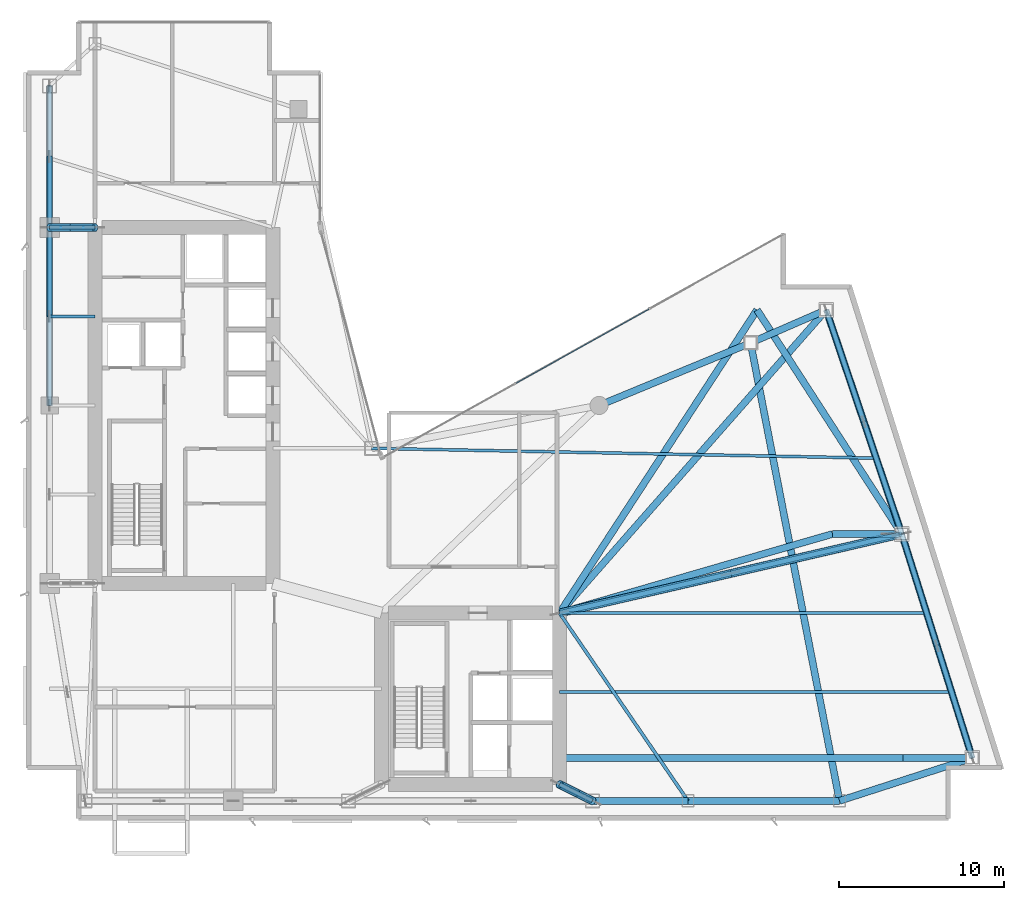
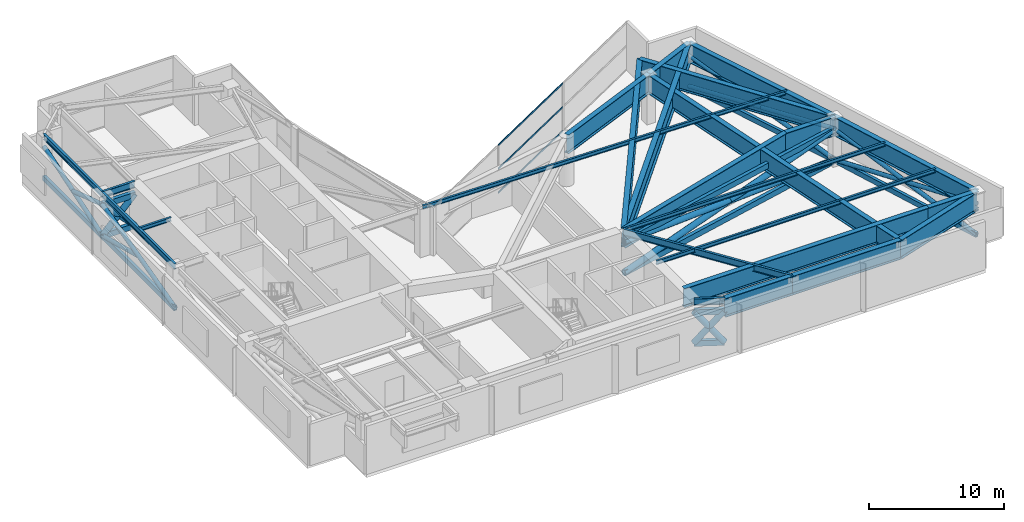
# One storey, part 4 of 17: 32 members, 24 beams, 1 element without a shape of its own.
"""IFC4 building model written with IfcOpenShell, lengths in metres."""

from ifc_helpers import new_model, si_unit, direction, frame, origin, origin_2d, place, context, subcontext, project, spatial, hollow_rectangle, hollow_circle, i_section, extrude, material, layer, layer_set, material_profile, profile_set, type_object, element, aggregate, save


model = new_model("IFC4")

# Units and contexts
model_context = context("Model", 3, precision=1e-05, world=origin(), true_north=direction((0.0, 1.0)))
body_context = subcontext(model_context, "Body", "Model", "MODEL_VIEW")
ifc_project = project(units=[si_unit("LENGTHUNIT", "METRE"), si_unit("AREAUNIT", "SQUARE_METRE"), si_unit("VOLUMEUNIT", "CUBIC_METRE"), si_unit("PLANEANGLEUNIT", "RADIAN"), si_unit("MASSUNIT", "GRAM", prefix="KILO")], contexts=[model_context])

# Site, building, storey
site_placement = place(None, origin())
site = spatial("IfcSite", under=ifc_project, at=site_placement, CompositionType="ELEMENT")
building_placement = place(site_placement, origin())
building = spatial("IfcBuilding", under=site, at=building_placement, Name="Calvorn Quay Hotel", CompositionType="ELEMENT")
storey_placement = place(building_placement, frame((0.0, 0.0, 186.5)))
storey = spatial("IfcBuildingStorey", under=building, at=storey_placement, Name="L46", CompositionType="ELEMENT", Elevation=186.5)

# Beams
ifc_material_1 = material(Name="Steel Q355B", Category="steel")
ifc_material_profile_1 = material_profile(ifc_material_1, i_section(OverallWidth=0.199951171875, OverallDepth=0.60009765625, WebThickness=0.010986328125, FlangeThickness=0.01708984375, FilletRadius=0.01806640625, at=origin_2d()), Name="HN600x200x11x17")
ifc_profile_set_1 = profile_set([ifc_material_profile_1], Name="Steel Q355B")
beam_type_1 = type_object("IfcBeamType", Name="BM-GIRD-TYP", PredefinedType="BEAM", material=ifc_profile_set_1)
beam_1_placement = place(storey_placement, frame((1.449951171875, 38.39990234375, 4.050048828125), z_axis=(1.0, 0.0, 0.0), x_axis=(0.0, 1.0, 0.0)))
element("IfcBeam", 1, at=beam_1_placement, inside=storey, type_object=beam_type_1, Name="Beam BG-L46-W3", PredefinedType="BEAM", context=body_context, shape_type="SweptSolid", body=[
    extrude(i_section(OverallWidth=0.199951171875, OverallDepth=0.60009765625, WebThickness=0.010986328125, FlangeThickness=0.01708984375, FilletRadius=0.01806640625, at=origin_2d()), origin(), (0.0, 0.0, 1.0), 2.75),
])
beam_2_placement = place(storey_placement, frame((34.39990234375, 3.60009765625, 4.050048828125), z_axis=(-0.894427191, 0.4472135955, 0.0), x_axis=(-0.4472135955, -0.894427191, 0.0)))
element("IfcBeam", 2, at=beam_2_placement, inside=storey, type_object=beam_type_1, Name="Beam BG-L46-S3", PredefinedType="BEAM", context=body_context, shape_type="SweptSolid", body=[
    extrude(i_section(OverallWidth=0.199951171875, OverallDepth=0.60009765625, WebThickness=0.010986328125, FlangeThickness=0.01708984375, FilletRadius=0.01806640625, at=origin_2d()), origin(), (0.0, 0.0, 1.0), 2.236083984375),
])
beam_3_placement = place(storey_placement, frame((40.199951171875, 3.60009765625, 4.050048828125), z_axis=(-0.564689618177, 0.825303359452, 0.0), x_axis=(-0.825303359452, -0.564689618177, 0.0)))
element("IfcBeam", 3, at=beam_3_placement, inside=storey, type_object=beam_type_1, Name="Beam BG-L46-E6", PredefinedType="BEAM", context=body_context, shape_type="SweptSolid", body=[
    extrude(i_section(OverallWidth=0.199951171875, OverallDepth=0.60009765625, WebThickness=0.010986328125, FlangeThickness=0.01708984375, FilletRadius=0.01806640625, at=origin_2d()), origin(), (0.0, 0.0, 1.0), 13.81298828125),
])
ifc_material_2 = material(Name="Steel Q355B", Category="steel")
ifc_material_profile_2 = material_profile(ifc_material_2, i_section(OverallWidth=0.175048828125, OverallDepth=0.35009765625, WebThickness=0.007080078125, FlangeThickness=0.010986328125, FilletRadius=0.013916015625, at=origin_2d()), Name="HN350x175x7x11")
ifc_profile_set_2 = profile_set([ifc_material_profile_2], Name="Steel Q355B")
beam_type_2 = type_object("IfcBeamType", Name="BM-JOIST-SEC", PredefinedType="JOIST", material=ifc_profile_set_2)
beam_4_placement = place(storey_placement, frame((1.449951171875, 33.0, 4.175048828125), z_axis=(1.0, 0.0, 0.0), x_axis=(0.0, 1.0, 0.0)))
element("IfcBeam", 4, at=beam_4_placement, inside=storey, type_object=beam_type_2, Name="Beam BJ-L46-W4", PredefinedType="JOIST", context=body_context, shape_type="SweptSolid", body=[
    extrude(i_section(OverallWidth=0.175048828125, OverallDepth=0.35009765625, WebThickness=0.007080078125, FlangeThickness=0.010986328125, FilletRadius=0.013916015625, at=origin_2d()), origin(), (0.0, 0.0, 1.0), 2.75),
])
beam_5_placement = place(storey_placement, frame((32.39990234375, 10.199951171875, 4.175048828125), z_axis=(1.0, 0.0, 0.0), x_axis=(0.0, 1.0, 0.0)))
element("IfcBeam", 5, at=beam_5_placement, inside=storey, type_object=beam_type_2, Name="Beam BJ-L46-E1", PredefinedType="JOIST", context=body_context, shape_type="SweptSolid", body=[
    extrude(i_section(OverallWidth=0.175048828125, OverallDepth=0.35009765625, WebThickness=0.007080078125, FlangeThickness=0.010986328125, FilletRadius=0.013916015625, at=origin_2d()), origin(), (0.0, 0.0, 1.0), 23.801025390625),
])
beam_6_placement = place(storey_placement, frame((32.39990234375, 15.0, 4.175048828125), z_axis=(1.0, 0.0, 0.0), x_axis=(0.0, 1.0, 0.0)))
element("IfcBeam", 6, at=beam_6_placement, inside=storey, type_object=beam_type_2, Name="Beam BJ-L46-E2", PredefinedType="JOIST", context=body_context, shape_type="SweptSolid", body=[
    extrude(i_section(OverallWidth=0.175048828125, OverallDepth=0.35009765625, WebThickness=0.007080078125, FlangeThickness=0.010986328125, FilletRadius=0.013916015625, at=origin_2d()), origin(), (0.0, 0.0, 1.0), 22.2880859375),
])
beam_7_placement = place(storey_placement, frame((21.0, 25.0, 4.175048828125), z_axis=(0.999809345134, -0.019526222968, 0.0), x_axis=(0.019526222968, 0.999809345134, 0.0)))
element("IfcBeam", 7, at=beam_7_placement, inside=storey, type_object=beam_type_2, Name="Beam BJ-L46-E3", PredefinedType="JOIST", context=body_context, shape_type="SweptSolid", body=[
    extrude(i_section(OverallWidth=0.175048828125, OverallDepth=0.35009765625, WebThickness=0.007080078125, FlangeThickness=0.010986328125, FilletRadius=0.013916015625, at=origin_2d()), origin(), (0.0, 0.0, 1.0), 30.73291015625),
])
ifc_material_3 = material(Name="Steel Q355B", Category="steel")
ifc_material_profile_3 = material_profile(ifc_material_3, i_section(OverallWidth=0.199951171875, OverallDepth=0.5, WebThickness=0.010009765625, FlangeThickness=0.01611328125, FilletRadius=0.01611328125, at=origin_2d()), Name="HN500x200x10x16")
ifc_profile_set_3 = profile_set([ifc_material_profile_3], Name="Steel Q355B")
beam_type_3 = type_object("IfcBeamType", Name="BM-SPANDREL-Z1", PredefinedType="SPANDREL", material=ifc_profile_set_3)
beam_8_placement = place(storey_placement, frame((1.449951171875, 27.60009765625, 4.10009765625), z_axis=(0.0, 1.0, 0.0), x_axis=(-1.0, 0.0, 0.0)))
element("IfcBeam", 8, at=beam_8_placement, inside=storey, type_object=beam_type_3, Name="Beam BSP-L46-W3", PredefinedType="SPANDREL", context=body_context, shape_type="SweptSolid", body=[
    extrude(i_section(OverallWidth=0.199951171875, OverallDepth=0.5, WebThickness=0.010009765625, FlangeThickness=0.01611328125, FilletRadius=0.01611328125, at=origin_2d()), origin(), (0.0, 0.0, 1.0), 10.7998046875),
])
beam_9_placement = place(storey_placement, frame((1.449951171875, 38.39990234375, 4.10009765625), z_axis=(0.0, 1.0, 0.0), x_axis=(-1.0, 0.0, 0.0)))
element("IfcBeam", 9, at=beam_9_placement, inside=storey, type_object=beam_type_3, Name="Beam BSP-L46-W4", PredefinedType="SPANDREL", context=body_context, shape_type="SweptSolid", body=[
    extrude(i_section(OverallWidth=0.199951171875, OverallDepth=0.5, WebThickness=0.010009765625, FlangeThickness=0.01611328125, FilletRadius=0.01611328125, at=origin_2d()), origin(), (0.0, 0.0, 1.0), 8.60009765625),
])
ifc_material_4 = material(Name="Steel Q420GJC", Category="steel")
ifc_material_profile_4 = material_profile(ifc_material_4, i_section(OverallWidth=0.419921875, OverallDepth=1.699951171875, WebThickness=0.02392578125, FlangeThickness=0.0419921875, FilletRadius=0.02392578125, at=origin_2d()), Name="HN1700x420x24x42")
ifc_profile_set_4 = profile_set([ifc_material_profile_4], Name="Steel Q420GJC")
beam_type_4 = type_object("IfcBeamType", Name="BM-XFER-SAWTOOTH", PredefinedType="BEAM", material=ifc_profile_set_4)
beam_10_placement = place(storey_placement, frame((32.39990234375, 6.199951171875, 3.5), z_axis=(1.0, 0.0, 0.0), x_axis=(0.0, 1.0, 0.0)))
element("IfcBeam", 10, at=beam_10_placement, inside=storey, type_object=beam_type_4, Name="Beam BTG-L46-C-ET1A", PredefinedType="BEAM", context=body_context, shape_type="SweptSolid", body=[
    extrude(i_section(OverallWidth=0.419921875, OverallDepth=1.699951171875, WebThickness=0.02392578125, FlangeThickness=0.0419921875, FilletRadius=0.02392578125, at=origin_2d()), origin(), (0.0, 0.0, 1.0), 20.861083984375),
])
beam_11_placement = place(storey_placement, frame((53.260986328125, 6.199951171875, 3.5), z_axis=(1.0, 0.0, 0.0), x_axis=(0.0, 1.0, 0.0)))
element("IfcBeam", 11, at=beam_11_placement, inside=storey, type_object=beam_type_4, Name="Beam BTG-L46-C-ET1B", PredefinedType="BEAM", context=body_context, shape_type="SweptSolid", body=[
    extrude(i_section(OverallWidth=0.419921875, OverallDepth=1.699951171875, WebThickness=0.02392578125, FlangeThickness=0.0419921875, FilletRadius=0.02392578125, at=origin_2d()), origin(), (0.0, 0.0, 1.0), 4.199951171875),
])
beam_12_placement = place(storey_placement, frame((32.39990234375, 15.0, 3.5), z_axis=(0.960538207657, 0.278148075008, 0.0), x_axis=(-0.278148075008, 0.960538207657, 0.0)))
element("IfcBeam", 12, at=beam_12_placement, inside=storey, type_object=beam_type_4, Name="Beam BTG-L46-C-ET2A", PredefinedType="BEAM", context=body_context, shape_type="SweptSolid", body=[
    extrude(i_section(OverallWidth=0.419921875, OverallDepth=1.699951171875, WebThickness=0.02392578125, FlangeThickness=0.0419921875, FilletRadius=0.02392578125, at=origin_2d()), origin(), (0.0, 0.0, 1.0), 17.257080078125),
])
beam_13_placement = place(storey_placement, frame((48.97607421875, 19.800048828125, 3.5), z_axis=(1.0, 0.0, 0.0), x_axis=(0.0, 1.0, 0.0)))
element("IfcBeam", 13, at=beam_13_placement, inside=storey, type_object=beam_type_4, Name="Beam BTG-L46-C-ET2B", PredefinedType="BEAM", context=body_context, shape_type="SweptSolid", body=[
    extrude(i_section(OverallWidth=0.419921875, OverallDepth=1.699951171875, WebThickness=0.02392578125, FlangeThickness=0.0419921875, FilletRadius=0.02392578125, at=origin_2d()), origin(), (0.0, 0.0, 1.0), 4.199951171875),
])
beam_14_placement = place(storey_placement, frame((32.39990234375, 15.0, 3.5), z_axis=(0.545989016765, 0.837792333202, 0.0), x_axis=(-0.837792333202, 0.545989016765, 0.0)))
element("IfcBeam", 14, at=beam_14_placement, inside=storey, type_object=beam_type_4, Name="Beam BTG-L46-C-ET3A", PredefinedType="BEAM", context=body_context, shape_type="SweptSolid", body=[
    extrude(i_section(OverallWidth=0.419921875, OverallDepth=1.699951171875, WebThickness=0.02392578125, FlangeThickness=0.0419921875, FilletRadius=0.02392578125, at=origin_2d()), origin(), (0.0, 0.0, 1.0), 21.96240234375),
])
beam_15_placement = place(storey_placement, frame((44.39111328125, 33.39990234375, 3.5), z_axis=(0.542598364275, -0.839992270849, 0.0), x_axis=(0.839992270849, 0.542598364275, 0.0)))
element("IfcBeam", 15, at=beam_15_placement, inside=storey, type_object=beam_type_4, Name="Beam BTG-L46-C-ET3B", PredefinedType="BEAM", context=body_context, shape_type="SweptSolid", body=[
    extrude(i_section(OverallWidth=0.419921875, OverallDepth=1.699951171875, WebThickness=0.02392578125, FlangeThickness=0.0419921875, FilletRadius=0.02392578125, at=origin_2d()), origin(), (0.0, 0.0, 1.0), 16.1904296875),
])
beam_16_placement = place(storey_placement, frame((34.39990234375, 3.60009765625, 3.5), z_axis=(1.0, 0.0, 0.0), x_axis=(0.0, 1.0, 0.0)))
element("IfcBeam", 16, at=beam_16_placement, inside=storey, type_object=beam_type_4, Name="Beam BSP-L46-S4", PredefinedType="BEAM", context=body_context, shape_type="SweptSolid", body=[
    extrude(i_section(OverallWidth=0.419921875, OverallDepth=1.699951171875, WebThickness=0.02392578125, FlangeThickness=0.0419921875, FilletRadius=0.02392578125, at=origin_2d()), origin(), (0.0, 0.0, 1.0), 5.800048828125),
])
beam_17_placement = place(storey_placement, frame((40.199951171875, 3.60009765625, 3.5), z_axis=(1.0, 0.0, 0.0), x_axis=(0.0, 1.0, 0.0)))
element("IfcBeam", 17, at=beam_17_placement, inside=storey, type_object=beam_type_4, Name="Beam BSP-L46-S5", PredefinedType="BEAM", context=body_context, shape_type="SweptSolid", body=[
    extrude(i_section(OverallWidth=0.419921875, OverallDepth=1.699951171875, WebThickness=0.02392578125, FlangeThickness=0.0419921875, FilletRadius=0.02392578125, at=origin_2d()), origin(), (0.0, 0.0, 1.0), 9.199951171875),
])
beam_18_placement = place(storey_placement, frame((49.39990234375, 3.60009765625, 3.5), z_axis=(0.951725188386, 0.306951406237, 0.0), x_axis=(-0.306951406237, 0.951725188386, 0.0)))
element("IfcBeam", 18, at=beam_18_placement, inside=storey, type_object=beam_type_4, Name="Beam BSP-L46-S6", PredefinedType="BEAM", context=body_context, shape_type="SweptSolid", body=[
    extrude(i_section(OverallWidth=0.419921875, OverallDepth=1.699951171875, WebThickness=0.02392578125, FlangeThickness=0.0419921875, FilletRadius=0.02392578125, at=origin_2d()), origin(), (0.0, 0.0, 1.0), 8.469970703125),
])
beam_19_placement = place(storey_placement, frame((57.4609375, 6.199951171875, 3.5), z_axis=(-0.300502802767, 0.953780931624, 0.0), x_axis=(-0.953780931624, -0.300502802767, 0.0)))
element("IfcBeam", 19, at=beam_19_placement, inside=storey, type_object=beam_type_4, Name="Beam BSP-L46-E1", PredefinedType="BEAM", context=body_context, shape_type="SweptSolid", body=[
    extrude(i_section(OverallWidth=0.419921875, OverallDepth=1.699951171875, WebThickness=0.02392578125, FlangeThickness=0.0419921875, FilletRadius=0.02392578125, at=origin_2d()), origin(), (0.0, 0.0, 1.0), 14.259033203125),
])
beam_20_placement = place(storey_placement, frame((53.176025390625, 19.800048828125, 3.5), z_axis=(-0.319466515944, 0.947597564998, 0.0), x_axis=(-0.947597564998, -0.319466515944, 0.0)))
element("IfcBeam", 20, at=beam_20_placement, inside=storey, type_object=beam_type_4, Name="Beam BSP-L46-E2", PredefinedType="BEAM", context=body_context, shape_type="SweptSolid", body=[
    extrude(i_section(OverallWidth=0.419921875, OverallDepth=1.699951171875, WebThickness=0.02392578125, FlangeThickness=0.0419921875, FilletRadius=0.02392578125, at=origin_2d()), origin(), (0.0, 0.0, 1.0), 14.35205078125),
])
beam_21_placement = place(storey_placement, frame((48.591064453125, 33.39990234375, 3.5), z_axis=(-0.916786146489, -0.399378469132, 0.0), x_axis=(0.399378469132, -0.916786146489, 0.0)))
element("IfcBeam", 21, at=beam_21_placement, inside=storey, type_object=beam_type_4, Name="Beam BSP-L46-E3", PredefinedType="BEAM", context=body_context, shape_type="SweptSolid", body=[
    extrude(i_section(OverallWidth=0.419921875, OverallDepth=1.699951171875, WebThickness=0.02392578125, FlangeThickness=0.0419921875, FilletRadius=0.02392578125, at=origin_2d()), origin(), (0.0, 0.0, 1.0), 5.0078125),
])
beam_22_placement = place(storey_placement, frame((44.0, 31.39990234375, 3.5), z_axis=(-0.92426763497, -0.381745123017, 0.0), x_axis=(0.381745123017, -0.92426763497, 0.0)))
element("IfcBeam", 22, at=beam_22_placement, inside=storey, type_object=beam_type_4, Name="Beam BSP-L46-E4", PredefinedType="BEAM", context=body_context, shape_type="SweptSolid", body=[
    extrude(i_section(OverallWidth=0.419921875, OverallDepth=1.699951171875, WebThickness=0.02392578125, FlangeThickness=0.0419921875, FilletRadius=0.02392578125, at=origin_2d()), origin(), (0.0, 0.0, 1.0), 9.953857421875),
])
beam_23_placement = place(storey_placement, frame((32.39990234375, 15.0, 3.5), z_axis=(0.660610604248, 0.750728732336, 0.0), x_axis=(-0.750728732336, 0.660610604248, 0.0)))
element("IfcBeam", 23, at=beam_23_placement, inside=storey, type_object=beam_type_4, Name="Beam BTG-L46-03", PredefinedType="BEAM", context=body_context, shape_type="SweptSolid", body=[
    extrude(i_section(OverallWidth=0.419921875, OverallDepth=1.699951171875, WebThickness=0.02392578125, FlangeThickness=0.0419921875, FilletRadius=0.02392578125, at=origin_2d()), origin(), (0.0, 0.0, 1.0), 24.50927734375),
])
beam_24_placement = place(storey_placement, frame((49.39990234375, 3.60009765625, 3.5), z_axis=(-0.190678596862, 0.981652521363, 0.0), x_axis=(-0.981652521363, -0.190678596862, 0.0)))
element("IfcBeam", 24, at=beam_24_placement, inside=storey, type_object=beam_type_4, Name="Beam BG-L46-E5", PredefinedType="BEAM", context=body_context, shape_type="SweptSolid", body=[
    extrude(i_section(OverallWidth=0.419921875, OverallDepth=1.699951171875, WebThickness=0.02392578125, FlangeThickness=0.0419921875, FilletRadius=0.02392578125, at=origin_2d()), origin(), (0.0, 0.0, 1.0), 28.3193359375),
])

# Curtain wall, members
ifc_material_5 = material(Name="Pale Anodised Aluminium and Low-E Glass", Category="aluminium")
ifc_layer = layer(ifc_material_5, 0.219970703125)
ifc_layer_set = layer_set([ifc_layer], Name="CW-SYS-Z2")
curtain_wall_type = type_object("IfcCurtainWallType", Name="CW-SYS-Z2", PredefinedType="NOTDEFINED", material=ifc_layer_set)
curtain_wall_placement = place(storey_placement, origin())
curtain_wall = element("IfcCurtainWall", 25, at=curtain_wall_placement, inside=storey, type_object=curtain_wall_type, Name="Inner Court Curtain Wall L46-NE1", PredefinedType="NOTDEFINED")
ifc_material_6 = material(Name="Pale Anodised Aluminium 6063-T6", Category="aluminium")
ifc_material_profile_5 = material_profile(ifc_material_6, hollow_rectangle(XDim=0.06005859375, YDim=0.14990234375, WallThickness=0.00341796875, at=origin_2d()), Name="ALU-T150x60x3.5")
ifc_profile_set_5 = profile_set([ifc_material_profile_5], Name="Pale Anodised Aluminium 6063-T6")
member_type_1 = type_object("IfcMemberType", Name="CW-SYS-Z2-TRN", PredefinedType="USERDEFINED", material=ifc_profile_set_5)
member_1_placement = place(storey_placement, frame((37.840576171875, 33.4521484375, 0.030029296875), z_axis=(-0.873483012802, -0.486854625474, 0.0), x_axis=(0.486854625474, -0.873483012802, 0.0)))
member_1 = element("IfcMember", 26, at=member_1_placement, type_object=member_type_1, Name="CW-L46-NE1 transom 2.1", ObjectType="TRANSOM", PredefinedType="USERDEFINED", context=body_context, shape_type="SweptSolid", body=[
    extrude(hollow_rectangle(XDim=0.06005859375, YDim=0.14990234375, WallThickness=0.00341796875, at=origin_2d()), origin(), (0.0, 0.0, 1.0), 9.25146484375),
])
member_2_placement = place(storey_placement, frame((37.840576171875, 33.4521484375, 2.199951171875), z_axis=(-0.873483012802, -0.486854625474, 0.0), x_axis=(0.486854625474, -0.873483012802, 0.0)))
member_2 = element("IfcMember", 27, at=member_2_placement, type_object=member_type_1, Name="CW-L46-NE1 transom 2.2", ObjectType="TRANSOM", PredefinedType="USERDEFINED", context=body_context, shape_type="SweptSolid", body=[
    extrude(hollow_rectangle(XDim=0.06005859375, YDim=0.14990234375, WallThickness=0.00341796875, at=origin_2d()), origin(), (0.0, 0.0, 1.0), 9.25146484375),
])
member_3_placement = place(storey_placement, frame((37.840576171875, 33.4521484375, 4.320068359375), z_axis=(-0.873483012802, -0.486854625474, 0.0), x_axis=(0.486854625474, -0.873483012802, 0.0)))
member_3 = element("IfcMember", 28, at=member_3_placement, type_object=member_type_1, Name="CW-L46-NE1 transom 2.3", ObjectType="TRANSOM", PredefinedType="USERDEFINED", context=body_context, shape_type="SweptSolid", body=[
    extrude(hollow_rectangle(XDim=0.06005859375, YDim=0.14990234375, WallThickness=0.00341796875, at=origin_2d()), origin(), (0.0, 0.0, 1.0), 9.25146484375),
])
aggregate(curtain_wall, [member_1, member_2, member_3])

# Members
ifc_material_7 = material(Name="Steel Q390GJC", Category="steel")
ifc_material_profile_6 = material_profile(ifc_material_7, hollow_rectangle(XDim=0.25, YDim=0.449951171875, WallThickness=0.01611328125, at=origin_2d()), Name="RHS450x250x16")
ifc_profile_set_6 = profile_set([ifc_material_profile_6], Name="Steel Q390GJC")
member_type_2 = type_object("IfcMemberType", Name="MEM-BELT-CHORD", PredefinedType="CHORD", material=ifc_profile_set_6)
member_4_placement = place(storey_placement, frame((1.449951171875, 27.60009765625, 0.35009765625), z_axis=(0.0, 1.0, 0.0), x_axis=(-1.0, 0.0, 0.0)))
element("IfcMember", 29, at=member_4_placement, inside=storey, type_object=member_type_2, Name="Belt Truss Chord L46-BW3", PredefinedType="CHORD", context=body_context, shape_type="SweptSolid", body=[
    extrude(hollow_rectangle(XDim=0.25, YDim=0.449951171875, WallThickness=0.01611328125, at=origin_2d()), origin(), (0.0, 0.0, 1.0), 10.7998046875),
])
member_5_placement = place(storey_placement, frame((1.449951171875, 38.39990234375, 0.35009765625), z_axis=(0.0, 1.0, 0.0), x_axis=(-1.0, 0.0, 0.0)))
element("IfcMember", 30, at=member_5_placement, inside=storey, type_object=member_type_2, Name="Belt Truss Chord L46-BW4", PredefinedType="CHORD", context=body_context, shape_type="SweptSolid", body=[
    extrude(hollow_rectangle(XDim=0.25, YDim=0.449951171875, WallThickness=0.01611328125, at=origin_2d()), origin(), (0.0, 0.0, 1.0), 8.60009765625),
])
member_6_placement = place(storey_placement, frame((57.4609375, 6.199951171875, 0.35009765625), z_axis=(-0.300502802767, 0.953780931624, 0.0), x_axis=(-0.953780931624, -0.300502802767, 0.0)))
element("IfcMember", 31, at=member_6_placement, inside=storey, type_object=member_type_2, Name="Belt Truss Chord L46-BE1", PredefinedType="CHORD", context=body_context, shape_type="SweptSolid", body=[
    extrude(hollow_rectangle(XDim=0.25, YDim=0.449951171875, WallThickness=0.01611328125, at=origin_2d()), origin(), (0.0, 0.0, 1.0), 14.259033203125),
])
member_7_placement = place(storey_placement, frame((53.176025390625, 19.800048828125, 0.35009765625), z_axis=(-0.319466515944, 0.947597564998, 0.0), x_axis=(-0.947597564998, -0.319466515944, 0.0)))
element("IfcMember", 32, at=member_7_placement, inside=storey, type_object=member_type_2, Name="Belt Truss Chord L46-BE2", PredefinedType="CHORD", context=body_context, shape_type="SweptSolid", body=[
    extrude(hollow_rectangle(XDim=0.25, YDim=0.449951171875, WallThickness=0.01611328125, at=origin_2d()), origin(), (0.0, 0.0, 1.0), 14.35205078125),
])
ifc_material_8 = material(Name="Steel Q390GJC", Category="steel")
ifc_material_profile_7 = material_profile(ifc_material_8, hollow_circle(Radius=0.177978515625, WallThickness=0.013916015625, at=origin_2d()), Name="CHS356x14")
ifc_profile_set_7 = profile_set([ifc_material_profile_7], Name="Steel Q390GJC")
member_type_3 = type_object("IfcMemberType", Name="MEM-BELT-DIAG", PredefinedType="BRACE", material=ifc_profile_set_7)
member_8_placement = place(storey_placement, frame((1.449951171875, 27.60009765625, 0.35009765625), z_axis=(0.0, 0.968000048288, 0.250950007997), x_axis=(-1.0, 0.0, 0.0)))
element("IfcMember", 33, at=member_8_placement, inside=storey, type_object=member_type_3, Name="Belt Truss Continuous Brace L46-BW3A", PredefinedType="BRACE", context=body_context, shape_type="SweptSolid", body=[
    extrude(hollow_circle(Radius=0.177978515625, WallThickness=0.013916015625, at=origin_2d()), origin(), (0.0, 0.0, 1.0), 11.15673828125),
])
member_9_placement = place(storey_placement, frame((1.449951171875, 33.0, 1.75), z_axis=(0.0, 0.968000048288, -0.250950007997), x_axis=(-1.0, 0.0, 0.0)))
element("IfcMember", 34, at=member_9_placement, inside=storey, type_object=member_type_3, Name="Belt Truss Split Brace B2 L46-BW3", PredefinedType="BRACE", context=body_context, shape_type="SweptSolid", body=[
    extrude(hollow_circle(Radius=0.177978515625, WallThickness=0.013916015625, at=origin_2d()), origin(), (0.0, 0.0, 1.0), 5.578369140625),
])
member_10_placement = place(storey_placement, frame((1.449951171875, 38.39990234375, 0.35009765625), z_axis=(0.0, 0.950878823124, 0.309563343655), x_axis=(-1.0, 0.0, 0.0)))
element("IfcMember", 35, at=member_10_placement, inside=storey, type_object=member_type_3, Name="Belt Truss Continuous Brace L46-BW4A", PredefinedType="BRACE", context=body_context, shape_type="SweptSolid", body=[
    extrude(hollow_circle(Radius=0.177978515625, WallThickness=0.013916015625, at=origin_2d()), origin(), (0.0, 0.0, 1.0), 9.04443359375),
])
member_11_placement = place(storey_placement, frame((1.449951171875, 38.39990234375, 3.14990234375), z_axis=(0.0, 0.950878823124, -0.309563343655), x_axis=(-1.0, 0.0, 0.0)))
element("IfcMember", 36, at=member_11_placement, inside=storey, type_object=member_type_3, Name="Belt Truss Split Brace B1 L46-BW4", PredefinedType="BRACE", context=body_context, shape_type="SweptSolid", body=[
    extrude(hollow_circle(Radius=0.177978515625, WallThickness=0.013916015625, at=origin_2d()), origin(), (0.0, 0.0, 1.0), 4.522216796875),
])
member_12_placement = place(storey_placement, frame((57.4609375, 6.199951171875, 0.35009765625), z_axis=(-0.294872315136, 0.93591004427, 0.192672537746), x_axis=(-0.953780931624, -0.300502802767, 0.0)))
element("IfcMember", 37, at=member_12_placement, inside=storey, type_object=member_type_3, Name="Belt Truss Continuous Brace L46-BE1A", PredefinedType="BRACE", context=body_context, shape_type="SweptSolid", body=[
    extrude(hollow_circle(Radius=0.177978515625, WallThickness=0.013916015625, at=origin_2d()), origin(), (0.0, 0.0, 1.0), 14.531494140625),
])
member_13_placement = place(storey_placement, frame((57.4609375, 6.199951171875, 3.14990234375), z_axis=(-0.294795612024, 0.935933224861, -0.192677309854), x_axis=(-0.953805465644, -0.300424921915, 0.0)))
element("IfcMember", 38, at=member_13_placement, inside=storey, type_object=member_type_3, Name="Belt Truss Split Brace B1 L46-BE1", PredefinedType="BRACE", context=body_context, shape_type="SweptSolid", body=[
    extrude(hollow_circle(Radius=0.177978515625, WallThickness=0.013916015625, at=origin_2d()), origin(), (0.0, 0.0, 1.0), 7.265625),
])
member_14_placement = place(storey_placement, frame((55.319091796875, 13.0, 1.75), z_axis=(-0.294949012549, 0.935886858796, -0.192667764634), x_axis=(-0.953756392507, -0.300580677608, 0.0)))
element("IfcMember", 39, at=member_14_placement, inside=storey, type_object=member_type_3, Name="Belt Truss Split Brace B2 L46-BE1", PredefinedType="BRACE", context=body_context, shape_type="SweptSolid", body=[
    extrude(hollow_circle(Radius=0.177978515625, WallThickness=0.013916015625, at=origin_2d()), origin(), (0.0, 0.0, 1.0), 7.265869140625),
])
member_15_placement = place(storey_placement, frame((53.176025390625, 19.800048828125, 0.35009765625), z_axis=(-0.313555727851, 0.930065059634, 0.191472688338), x_axis=(-0.947597564998, -0.319466515944, 0.0)))
element("IfcMember", 40, at=member_15_placement, inside=storey, type_object=member_type_3, Name="Belt Truss Continuous Brace L46-BE2A", PredefinedType="BRACE", context=body_context, shape_type="SweptSolid", body=[
    extrude(hollow_circle(Radius=0.177978515625, WallThickness=0.013916015625, at=origin_2d()), origin(), (0.0, 0.0, 1.0), 14.62255859375),
])
member_16_placement = place(storey_placement, frame((53.176025390625, 19.800048828125, 3.14990234375), z_axis=(-0.31361107513, 0.930047835987, -0.191465705366), x_axis=(-0.947578701521, -0.319522463098, 0.0)))
element("IfcMember", 41, at=member_16_placement, inside=storey, type_object=member_type_3, Name="Belt Truss Split Brace B1 L46-BE2", PredefinedType="BRACE", context=body_context, shape_type="SweptSolid", body=[
    extrude(hollow_circle(Radius=0.177978515625, WallThickness=0.013916015625, at=origin_2d()), origin(), (0.0, 0.0, 1.0), 7.3115234375),
])
member_17_placement = place(storey_placement, frame((50.883056640625, 26.60009765625, 1.75), z_axis=(-0.313500375466, 0.930082281367, -0.191479671167), x_axis=(-0.9476164266, -0.31941056344, 0.0)))
element("IfcMember", 42, at=member_17_placement, inside=storey, type_object=member_type_3, Name="Belt Truss Split Brace B2 L46-BE2", PredefinedType="BRACE", context=body_context, shape_type="SweptSolid", body=[
    extrude(hollow_circle(Radius=0.177978515625, WallThickness=0.013916015625, at=origin_2d()), origin(), (0.0, 0.0, 1.0), 7.31103515625),
])
ifc_material_9 = material(Name="Steel Q390GJC", Category="steel")
ifc_material_profile_8 = material_profile(ifc_material_9, hollow_rectangle(XDim=0.300048828125, YDim=0.5, WallThickness=0.02001953125, at=origin_2d()), Name="RHS500x300x20")
ifc_profile_set_8 = profile_set([ifc_material_profile_8], Name="Steel Q390GJC")
member_type_4 = type_object("IfcMemberType", Name="MEM-OUTRIGGER-CHORD", PredefinedType="CHORD", material=ifc_profile_set_8)
for number, where, z_axis, x_axis, name in (
    (43, (4.199951171875, 38.39990234375, 3.14990234375), (-1.0, 0.0, 0.0), (0.0, -1.0, 0.0), "Outrigger Top Chord L46-OW2"),
    (44, (4.199951171875, 38.39990234375, 0.35009765625), (-1.0, 0.0, 0.0), (0.0, -1.0, 0.0), "Outrigger Bottom Chord L46-OW2"),
):
    element("IfcMember", number, at=place(storey_placement, frame(where, z_axis=z_axis, x_axis=x_axis)), inside=storey, type_object=member_type_4, Name=name, PredefinedType="CHORD", context=body_context, shape_type="SweptSolid", body=[
        extrude(hollow_rectangle(XDim=0.300048828125, YDim=0.5, WallThickness=0.02001953125, at=origin_2d()), origin(), (0.0, 0.0, 1.0), 2.75),
    ])
for number, where, z_axis, x_axis, name in (
    (45, (32.39990234375, 4.60009765625, 3.14990234375), (0.894427191, -0.4472135955, 0.0), (0.4472135955, 0.894427191, 0.0), "Outrigger Top Chord L46-OE2"),
    (46, (32.39990234375, 4.60009765625, 0.35009765625), (0.894427191, -0.4472135955, 0.0), (0.4472135955, 0.894427191, 0.0), "Outrigger Bottom Chord L46-OE2"),
):
    element("IfcMember", number, at=place(storey_placement, frame(where, z_axis=z_axis, x_axis=x_axis)), inside=storey, type_object=member_type_4, Name=name, PredefinedType="CHORD", context=body_context, shape_type="SweptSolid", body=[
        extrude(hollow_rectangle(XDim=0.300048828125, YDim=0.5, WallThickness=0.02001953125, at=origin_2d()), origin(), (0.0, 0.0, 1.0), 2.236083984375),
    ])
for number, where, z_axis, x_axis, name in (
    (47, (32.39990234375, 15.0, 3.14990234375), (0.974334045812, 0.225107012711, 0.0), (-0.225107012711, 0.974334045812, 0.0), "Outrigger Top Chord L46-OE3"),
    (48, (32.39990234375, 15.0, 0.35009765625), (0.974334045812, 0.225107012711, 0.0), (-0.225107012711, 0.974334045812, 0.0), "Outrigger Bottom Chord L46-OE3"),
):
    element("IfcMember", number, at=place(storey_placement, frame(where, z_axis=z_axis, x_axis=x_axis)), inside=storey, type_object=member_type_4, Name=name, PredefinedType="CHORD", context=body_context, shape_type="SweptSolid", body=[
        extrude(hollow_rectangle(XDim=0.300048828125, YDim=0.5, WallThickness=0.02001953125, at=origin_2d()), origin(), (0.0, 0.0, 1.0), 21.323486328125),
    ])
ifc_material_10 = material(Name="Steel Q390GJC", Category="steel")
ifc_material_profile_9 = material_profile(ifc_material_10, hollow_circle(Radius=0.25, WallThickness=0.02001953125, at=origin_2d()), Name="CHS500x20")
ifc_profile_set_9 = profile_set([ifc_material_profile_9], Name="Steel Q390GJC")
member_type_5 = type_object("IfcMemberType", Name="MEM-OUTRIGGER-DIAG1", PredefinedType="BRACE", material=ifc_profile_set_9)
member_18_placement = place(storey_placement, frame((4.199951171875, 38.39990234375, 0.35009765625), z_axis=(-0.7007328944, 0.0, 0.713423724519), x_axis=(0.0, -1.0, 0.0)))
element("IfcMember", 49, at=member_18_placement, inside=storey, type_object=member_type_5, Name="Outrigger Continuous Diagonal L46-OW2", PredefinedType="BRACE", context=body_context, shape_type="SweptSolid", body=[
    extrude(hollow_circle(Radius=0.25, WallThickness=0.02001953125, at=origin_2d()), origin(), (0.0, 0.0, 1.0), 3.924560546875),
])
for number, where, z_axis, x_axis, name in (
    (50, (4.199951171875, 38.39990234375, 3.14990234375), (-0.7007328944, 0.0, -0.713423724519), (0.0, -1.0, 0.0), "Outrigger Split Diagonal A L46-OW2"),
    (51, (2.824951171875, 38.39990234375, 1.75), (-0.7007328944, 0.0, -0.713423724519), (0.0, -1.0, 0.0), "Outrigger Split Diagonal B L46-OW2"),
):
    element("IfcMember", number, at=place(storey_placement, frame(where, z_axis=z_axis, x_axis=x_axis)), inside=storey, type_object=member_type_5, Name=name, PredefinedType="BRACE", context=body_context, shape_type="SweptSolid", body=[
        extrude(hollow_circle(Radius=0.25, WallThickness=0.02001953125, at=origin_2d()), origin(), (0.0, 0.0, 1.0), 1.962158203125),
    ])
member_19_placement = place(storey_placement, frame((32.39990234375, 4.60009765625, 0.35009765625), z_axis=(0.558169345139, -0.279084672569, 0.781382574469), x_axis=(0.4472135955, 0.894427191, 0.0)))
element("IfcMember", 52, at=member_19_placement, inside=storey, type_object=member_type_5, Name="Outrigger Continuous Diagonal L46-OE2", PredefinedType="BRACE", context=body_context, shape_type="SweptSolid", body=[
    extrude(hollow_circle(Radius=0.25, WallThickness=0.02001953125, at=origin_2d()), origin(), (0.0, 0.0, 1.0), 3.583251953125),
])
for number, where, z_axis, x_axis, name in (
    (53, (32.39990234375, 4.60009765625, 3.14990234375), (0.558169345139, -0.279084672569, -0.781382574469), (0.4472135955, 0.894427191, 0.0), "Outrigger Split Diagonal A L46-OE2"),
    (54, (33.39990234375, 4.10009765625, 1.75), (0.558169345139, -0.279084672569, -0.781382574469), (0.4472135955, 0.894427191, 0.0), "Outrigger Split Diagonal B L46-OE2"),
):
    element("IfcMember", number, at=place(storey_placement, frame(where, z_axis=z_axis, x_axis=x_axis)), inside=storey, type_object=member_type_5, Name=name, PredefinedType="BRACE", context=body_context, shape_type="SweptSolid", body=[
        extrude(hollow_circle(Radius=0.25, WallThickness=0.02001953125, at=origin_2d()), origin(), (0.0, 0.0, 1.0), 1.79150390625),
    ])
member_20_placement = place(storey_placement, frame((32.39990234375, 15.0, 0.35009765625), z_axis=(0.966042252005, 0.223191303266, 0.130184520923), x_axis=(-0.225107012711, 0.974334045812, 0.0)))
element("IfcMember", 55, at=member_20_placement, inside=storey, type_object=member_type_5, Name="Outrigger Continuous Diagonal L46-OE3", PredefinedType="BRACE", context=body_context, shape_type="SweptSolid", body=[
    extrude(hollow_circle(Radius=0.25, WallThickness=0.02001953125, at=origin_2d()), origin(), (0.0, 0.0, 1.0), 21.50634765625),
])
member_21_placement = place(storey_placement, frame((32.39990234375, 15.0, 3.14990234375), z_axis=(0.966045457399, 0.223178069242, -0.130183423096), x_axis=(-0.22509363237, 0.974337137066, 0.0)))
element("IfcMember", 56, at=member_21_placement, inside=storey, type_object=member_type_5, Name="Outrigger Split Diagonal A L46-OE3", PredefinedType="BRACE", context=body_context, shape_type="SweptSolid", body=[
    extrude(hollow_circle(Radius=0.25, WallThickness=0.02001953125, at=origin_2d()), origin(), (0.0, 0.0, 1.0), 10.75341796875),
])
member_22_placement = place(storey_placement, frame((42.7880859375, 17.39990234375, 1.75), z_axis=(0.966039046376, 0.223204537473, -0.130185618744), x_axis=(-0.225120393239, 0.974330954321, 0.0)))
element("IfcMember", 57, at=member_22_placement, inside=storey, type_object=member_type_5, Name="Outrigger Split Diagonal B L46-OE3", PredefinedType="BRACE", context=body_context, shape_type="SweptSolid", body=[
    extrude(hollow_circle(Radius=0.25, WallThickness=0.02001953125, at=origin_2d()), origin(), (0.0, 0.0, 1.0), 10.753173828125),
])

save(model, "model.ifc")
